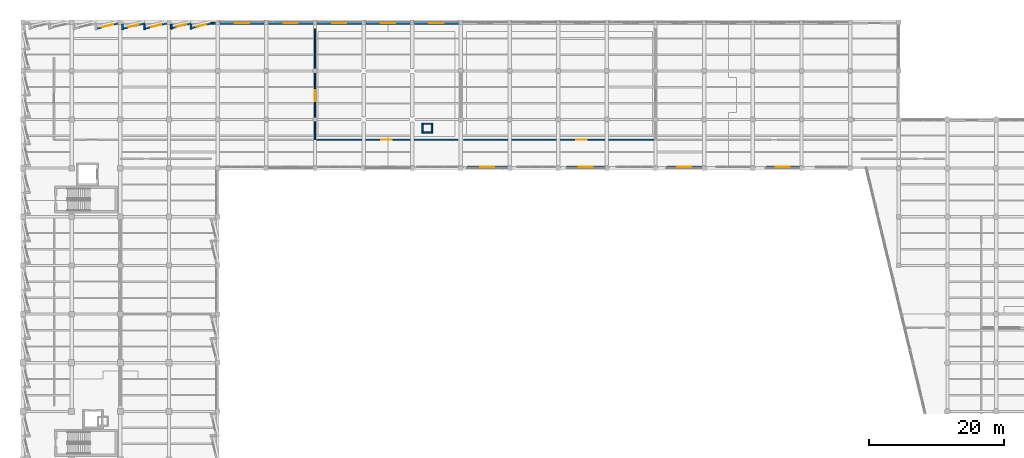
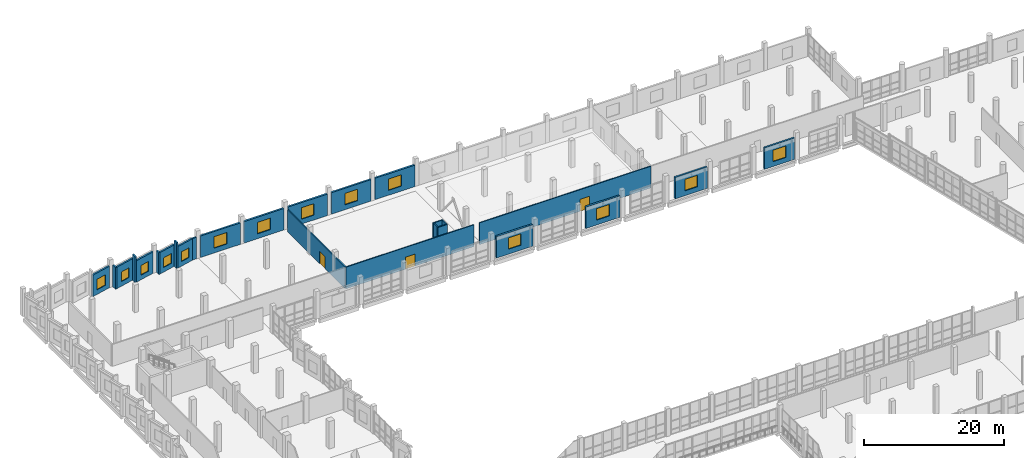
# One storey, part 98 of 127: 26 walls, 14 windows, 3 doors, 17 openings.
"""IFC4 building model written with IfcOpenShell, lengths in metres."""

from ifc_helpers import new_model, si_unit, direction, frame, frame_2d, origin, place, context, subcontext, project, spatial, rectangle, extrude, material, layer, layer_set, type_object, element, fill, save


model = new_model("IFC4")

# Units and contexts
model_context = context("Model", 3, precision=1e-05, world=origin(), true_north=direction((0.0, 1.0)))
body_context = subcontext(model_context, "Body", "Model", "MODEL_VIEW")
ifc_project = project(units=[si_unit("LENGTHUNIT", "METRE"), si_unit("AREAUNIT", "SQUARE_METRE"), si_unit("VOLUMEUNIT", "CUBIC_METRE"), si_unit("PLANEANGLEUNIT", "RADIAN"), si_unit("MASSUNIT", "GRAM", prefix="KILO")], contexts=[model_context])

# Site, building, storey
site_placement = place(None, origin())
site = spatial("IfcSite", under=ifc_project, at=site_placement, CompositionType="ELEMENT")
building_placement = place(site_placement, origin())
building = spatial("IfcBuilding", under=site, at=building_placement, Name="Kalmorath City Hall", CompositionType="ELEMENT")
storey_placement = place(building_placement, frame((0.0, 0.0, 5.39990234375)))
storey = spatial("IfcBuildingStorey", under=building, at=storey_placement, Name="L01", CompositionType="ELEMENT", Elevation=5.39990234375)

# Wall, opening, door
ifc_material_1 = material(Name="High-STC double-stud acoustic partition")
ifc_layer_1 = layer(ifc_material_1, 0.1650390625)
ifc_layer_set_1 = layer_set([ifc_layer_1], Name="High-STC double-stud acoustic partition")
wall_type_1 = type_object("IfcWallType", Name="Chamber and committee acoustic partition 165", PredefinedType="PARTITIONING", material=ifc_layer_set_1)
wall_1_placement = place(storey_placement, frame((43.239990234375, 97.800048828125, 0.0), z_axis=(0.0, 0.0, 1.0), x_axis=(1.0, 0.0, 0.0)))
wall_1 = element("IfcWall", 1, at=wall_1_placement, inside=storey, type_object=wall_type_1, Name="L01 interior partition PW3 #86", PredefinedType="PARTITIONING", context=body_context, shape_type="SweptSolid", body=[
    extrude(rectangle(XDim=21.1201171875, YDim=0.1650390625, at=frame_2d((10.56005859375, 0.0))), origin(), (0.0, 0.0, 1.0), 3.801025390625),
])
opening_1_placement = place(wall_1_placement, frame((9.760009765625, 0.0, 0.0)))
opening_1 = element("IfcOpeningElement", 2, at=opening_1_placement, cuts=wall_1, Name="Opening D-L01-182", PredefinedType="OPENING", context=body_context, shape_type="SweptSolid", body=[
    extrude(rectangle(XDim=1.60009765625, YDim=2.10009765625, at=frame_2d((0.800048828125, 1.050048828125))), frame((0.0, 0.092529296875, 0.0), z_axis=(0.0, -1.0, 0.0), x_axis=(1.0, 0.0, 0.0)), (0.0, 0.0, 1.0), 0.18505859375),
])
ifc_material_2 = material(Name="Acoustic hardwood fire door", Category="wood")
door_type = type_object("IfcDoorType", Name="Committee double fire door 1600x2100", OperationType="DOUBLE_DOOR_SINGLE_SWING", PredefinedType="DOOR", material=ifc_material_2)
door_1_placement = place(opening_1_placement, origin())
door_1 = element("IfcDoor", 3, at=door_1_placement, inside=storey, type_object=door_type, Name="L01 door D-L01-182", OperationType="DOUBLE_DOOR_SINGLE_SWING", OverallHeight=2.10009765625, OverallWidth=1.60009765625, PredefinedType="DOOR", context=body_context, shape_type="SweptSolid", body=[
    extrude(rectangle(XDim=1.60009765625, YDim=2.10009765625, at=frame_2d((0.800048828125, 1.050048828125))), frame((0.0, 0.02490234375, 0.0), z_axis=(0.0, -1.0, 0.0), x_axis=(1.0, 0.0, 0.0)), (0.0, 0.0, 1.0), 0.050048828125),
])
fill(opening_1, door_1)

wall_2_placement = place(storey_placement, frame((65.239990234375, 97.800048828125, 0.0), z_axis=(0.0, 0.0, 1.0), x_axis=(1.0, 0.0, 0.0)))
wall_2 = element("IfcWall", 4, at=wall_2_placement, inside=storey, type_object=wall_type_1, Name="L01 interior partition PW3 #87", PredefinedType="PARTITIONING", context=body_context, shape_type="SweptSolid", body=[
    extrude(rectangle(XDim=28.320068359375, YDim=0.1650390625, at=frame_2d((14.16015625, 0.0))), origin(), (0.0, 0.0, 1.0), 3.801025390625),
])
opening_2_placement = place(wall_2_placement, frame((16.594970703125, 0.0, 0.0)))
opening_2 = element("IfcOpeningElement", 5, at=opening_2_placement, cuts=wall_2, Name="Opening D-L01-184", PredefinedType="OPENING", context=body_context, shape_type="SweptSolid", body=[
    extrude(rectangle(XDim=1.60009765625, YDim=2.10009765625, at=frame_2d((0.800048828125, 1.050048828125))), frame((0.0, 0.092529296875, 0.0), z_axis=(0.0, -1.0, 0.0), x_axis=(1.0, 0.0, 0.0)), (0.0, 0.0, 1.0), 0.18505859375),
])
door_2_placement = place(opening_2_placement, origin())
door_2 = element("IfcDoor", 6, at=door_2_placement, inside=storey, type_object=door_type, Name="L01 door D-L01-184", OperationType="DOUBLE_DOOR_SINGLE_SWING", OverallHeight=2.10009765625, OverallWidth=1.60009765625, PredefinedType="DOOR", context=body_context, shape_type="SweptSolid", body=[
    extrude(rectangle(XDim=1.60009765625, YDim=2.10009765625, at=frame_2d((0.800048828125, 1.050048828125))), frame((0.0, 0.02490234375, 0.0), z_axis=(0.0, -1.0, 0.0), x_axis=(1.0, 0.0, 0.0)), (0.0, 0.0, 1.0), 0.050048828125),
])
fill(opening_2, door_2)

# Walls
ifc_material_3 = material(Name="Concrete C40/50", Category="concrete")
ifc_layer_2 = layer(ifc_material_3, 0.199951171875)
ifc_layer_set_2 = layer_set([ifc_layer_2], Name="Concrete C40/50")
wall_type_2 = type_object("IfcWallType", Name="Concrete service riser wall 200", PredefinedType="SOLIDWALL", material=ifc_layer_set_2)
for number, where, z_axis, x_axis, name in (
    (7, (59.0, 98.89990234375, 0.0), (0.0, 0.0, 1.0), (1.0, 0.0, 0.0), "L01 RSR-4 riser shaft wall S"),
    (8, (60.60009765625, 100.179931640625, 0.0), (0.0, 0.0, 1.0), (-1.0, 0.0, 0.0), "L01 RSR-4 riser shaft wall N"),
):
    element("IfcWall", number, at=place(storey_placement, frame(where, z_axis=z_axis, x_axis=x_axis)), inside=storey, type_object=wall_type_2, Name=name, PredefinedType="SOLIDWALL", context=body_context, shape_type="SweptSolid", body=[
        extrude(rectangle(XDim=1.60009765625, YDim=0.199951171875, at=frame_2d((0.800048828125, 0.0))), origin(), (0.0, 0.0, 1.0), 4.52001953125),
    ])
for number, where, z_axis, x_axis, name in (
    (9, (59.10009765625, 100.080078125, 0.0), (0.0, 0.0, 1.0), (0.0, -1.0, 0.0), "L01 RSR-4 riser shaft wall W"),
    (10, (60.5, 99.0, 0.0), (0.0, 0.0, 1.0), (0.0, 1.0, 0.0), "L01 RSR-4 riser shaft wall E"),
):
    element("IfcWall", number, at=place(storey_placement, frame(where, z_axis=z_axis, x_axis=x_axis)), inside=storey, type_object=wall_type_2, Name=name, PredefinedType="SOLIDWALL", context=body_context, shape_type="SweptSolid", body=[
        extrude(rectangle(XDim=1.080078125, YDim=0.199951171875, at=frame_2d((0.5400390625, 0.0))), origin(), (0.0, 0.0, 1.0), 4.52001953125),
    ])
ifc_material_4 = material(Name="Precast concrete C40/50", Category="concrete")
ifc_layer_3 = layer(ifc_material_4, 0.239990234375)
ifc_layer_set_3 = layer_set([ifc_layer_3], Name="Precast concrete C40/50")
wall_type_3 = type_object("IfcWallType", Name="Precast sawtooth cheek wall 240", PredefinedType="SOLIDWALL", material=ifc_layer_set_3)
wall_3_placement = place(storey_placement, frame((14.72607421875, 114.10888671875, 0.0), z_axis=(0.0, 0.0, 1.0), x_axis=(0.0, 1.0, 0.0)))
element("IfcWall", 11, at=wall_3_placement, inside=storey, type_object=wall_type_3, Name="L01 sawtooth return cheek #241", PredefinedType="SOLIDWALL", context=body_context, shape_type="SweptSolid", body=[
    extrude(rectangle(XDim=0.799072265625, YDim=0.239990234375, at=frame_2d((0.3994140625, 0.0))), origin(), (0.0, 0.0, 1.0), 3.801025390625),
])
wall_4_placement = place(storey_placement, frame((18.0, 114.10888671875, 0.0), z_axis=(0.0, 0.0, 1.0), x_axis=(0.0, 1.0, 0.0)))
element("IfcWall", 12, at=wall_4_placement, inside=storey, type_object=wall_type_3, Name="L01 sawtooth return cheek #243", PredefinedType="SOLIDWALL", context=body_context, shape_type="SweptSolid", body=[
    extrude(rectangle(XDim=0.799072265625, YDim=0.239990234375, at=frame_2d((0.3994140625, 0.0))), origin(), (0.0, 0.0, 1.0), 4.52001953125),
])
wall_5_placement = place(storey_placement, frame((21.926025390625, 114.190673828125, 0.0), z_axis=(0.0, 0.0, 1.0), x_axis=(0.0, 1.0, 0.0)))
element("IfcWall", 13, at=wall_5_placement, inside=storey, type_object=wall_type_3, Name="L01 sawtooth return cheek #246", PredefinedType="SOLIDWALL", context=body_context, shape_type="SweptSolid", body=[
    extrude(rectangle(XDim=0.71728515625, YDim=0.239990234375, at=frame_2d((0.358642578125, 0.0))), origin(), (0.0, 0.0, 1.0), 3.801025390625),
])
wall_6_placement = place(storey_placement, frame((24.860107421875, 114.190673828125, 0.0), z_axis=(0.0, 0.0, 1.0), x_axis=(0.0, 1.0, 0.0)))
element("IfcWall", 14, at=wall_6_placement, inside=storey, type_object=wall_type_3, Name="L01 sawtooth return cheek #248", PredefinedType="SOLIDWALL", context=body_context, shape_type="SweptSolid", body=[
    extrude(rectangle(XDim=0.71728515625, YDim=0.239990234375, at=frame_2d((0.358642578125, 0.0))), origin(), (0.0, 0.0, 1.0), 4.52001953125),
])

# Wall, opening, window
ifc_material_5 = material(Name="Precast concrete C40/50", Category="concrete")
ifc_layer_4 = layer(ifc_material_5, 0.280029296875)
ifc_layer_set_4 = layer_set([ifc_layer_4], Name="Precast concrete C40/50")
wall_type_4 = type_object("IfcWallType", Name="Precast sawtooth facade wall 280", PredefinedType="SOLIDWALL", material=ifc_layer_set_4)
wall_7_placement = place(storey_placement, frame((10.892333984375, 114.276123046875, 0.0), z_axis=(0.0, 0.0, 1.0), x_axis=(0.972364947293, 0.233466077354, 0.0)))
wall_7 = element("IfcWall", 15, at=wall_7_placement, inside=storey, type_object=wall_type_4, Name="L01 sawtooth precast frame #238", PredefinedType="SOLIDWALL", context=body_context, shape_type="SweptSolid", body=[
    extrude(rectangle(XDim=3.27197265625, YDim=0.280029296875, at=frame_2d((1.635986328125, 0.0))), origin(), (0.0, 0.0, 1.0), 3.7509765625),
])
opening_3_placement = place(wall_7_placement, frame((0.785888671875, 0.0, 0.800048828125)))
opening_3 = element("IfcOpeningElement", 16, at=opening_3_placement, cuts=wall_7, Name="Opening WN6", PredefinedType="OPENING", context=body_context, shape_type="SweptSolid", body=[
    extrude(rectangle(XDim=1.699951171875, YDim=1.85009765625, at=frame_2d((0.85009765625, 0.925048828125))), frame((0.0, 0.14990234375, 0.0), z_axis=(0.0, -1.0, 0.0), x_axis=(1.0, 0.0, 0.0)), (0.0, 0.0, 1.0), 0.300048828125),
])
ifc_material_6 = material(Name="Aluminium and laminated glass", Category="aluminium")
window_type_1 = type_object("IfcWindowType", Name="Sawtooth west wing window 1700x1850", PartitioningType="SINGLE_PANEL", PredefinedType="WINDOW", material=ifc_material_6)
window_1_placement = place(opening_3_placement, origin())
window_1 = element("IfcWindow", 17, at=window_1_placement, inside=storey, type_object=window_type_1, Name="L01 window WN6-111", OverallHeight=1.85009765625, OverallWidth=1.699951171875, PartitioningType="SINGLE_PANEL", PredefinedType="WINDOW", context=body_context, shape_type="SweptSolid", body=[
    extrude(rectangle(XDim=1.699951171875, YDim=1.85009765625, at=frame_2d((0.85009765625, 0.925048828125))), frame((0.0, 0.030029296875, 0.0), z_axis=(0.0, -1.0, 0.0), x_axis=(1.0, 0.0, 0.0)), (0.0, 0.0, 1.0), 0.06005859375),
])
fill(opening_3, window_1)

wall_8_placement = place(storey_placement, frame((14.818359375, 114.276123046875, 0.0), z_axis=(0.0, 0.0, 1.0), x_axis=(0.972364947293, 0.233466077354, 0.0)))
wall_8 = element("IfcWall", 18, at=wall_8_placement, inside=storey, type_object=wall_type_4, Name="L01 sawtooth precast frame #240", PredefinedType="SOLIDWALL", context=body_context, shape_type="SweptSolid", body=[
    extrude(rectangle(XDim=3.27197265625, YDim=0.280029296875, at=frame_2d((1.635986328125, 0.0))), origin(), (0.0, 0.0, 1.0), 3.7509765625),
])
opening_4_placement = place(wall_8_placement, frame((0.885986328125, 0.0, 0.800048828125)))
opening_4 = element("IfcOpeningElement", 19, at=opening_4_placement, cuts=wall_8, Name="Opening WN7", PredefinedType="OPENING", context=body_context, shape_type="SweptSolid", body=[
    extrude(rectangle(XDim=1.5, YDim=1.699951171875, at=frame_2d((0.75, 0.85009765625))), frame((0.0, 0.14990234375, 0.0), z_axis=(0.0, -1.0, 0.0), x_axis=(1.0, 0.0, 0.0)), (0.0, 0.0, 1.0), 0.300048828125),
])
ifc_material_7 = material(Name="Aluminium and laminated glass", Category="aluminium")
window_type_2 = type_object("IfcWindowType", Name="Sawtooth top storey window 1500x1700", PartitioningType="SINGLE_PANEL", PredefinedType="WINDOW", material=ifc_material_7)
window_2_placement = place(opening_4_placement, origin())
window_2 = element("IfcWindow", 20, at=window_2_placement, inside=storey, type_object=window_type_2, Name="L01 window WN7-112", OverallHeight=1.699951171875, OverallWidth=1.5, PartitioningType="SINGLE_PANEL", PredefinedType="WINDOW", context=body_context, shape_type="SweptSolid", body=[
    extrude(rectangle(XDim=1.5, YDim=1.699951171875, at=frame_2d((0.75, 0.85009765625))), frame((0.0, 0.030029296875, 0.0), z_axis=(0.0, -1.0, 0.0), x_axis=(1.0, 0.0, 0.0)), (0.0, 0.0, 1.0), 0.06005859375),
])
fill(opening_4, window_2)

wall_9_placement = place(storey_placement, frame((18.09228515625, 114.276123046875, 0.0), z_axis=(0.0, 0.0, 1.0), x_axis=(0.972364947293, 0.233466077354, 0.0)))
wall_9 = element("IfcWall", 21, at=wall_9_placement, inside=storey, type_object=wall_type_4, Name="L01 sawtooth precast frame #242", PredefinedType="SOLIDWALL", context=body_context, shape_type="SweptSolid", body=[
    extrude(rectangle(XDim=3.27197265625, YDim=0.280029296875, at=frame_2d((1.635986328125, 0.0))), origin(), (0.0, 0.0, 1.0), 3.7509765625),
])
opening_5_placement = place(wall_9_placement, frame((0.885986328125, 0.0, 0.800048828125)))
opening_5 = element("IfcOpeningElement", 22, at=opening_5_placement, cuts=wall_9, Name="Opening WN7", PredefinedType="OPENING", context=body_context, shape_type="SweptSolid", body=[
    extrude(rectangle(XDim=1.5, YDim=1.699951171875, at=frame_2d((0.75, 0.85009765625))), frame((0.0, 0.14990234375, 0.0), z_axis=(0.0, -1.0, 0.0), x_axis=(1.0, 0.0, 0.0)), (0.0, 0.0, 1.0), 0.300048828125),
])
window_3_placement = place(opening_5_placement, origin())
window_3 = element("IfcWindow", 23, at=window_3_placement, inside=storey, type_object=window_type_2, Name="L01 window WN7-113", OverallHeight=1.699951171875, OverallWidth=1.5, PartitioningType="SINGLE_PANEL", PredefinedType="WINDOW", context=body_context, shape_type="SweptSolid", body=[
    extrude(rectangle(XDim=1.5, YDim=1.699951171875, at=frame_2d((0.75, 0.85009765625))), frame((0.0, 0.030029296875, 0.0), z_axis=(0.0, -1.0, 0.0), x_axis=(1.0, 0.0, 0.0)), (0.0, 0.0, 1.0), 0.06005859375),
])
fill(opening_5, window_3)

wall_10_placement = place(storey_placement, frame((22.018310546875, 114.35791015625, 0.0), z_axis=(0.0, 0.0, 1.0), x_axis=(0.972379718613, 0.233404547578, 0.0)))
wall_10 = element("IfcWall", 24, at=wall_10_placement, inside=storey, type_object=wall_type_4, Name="L01 sawtooth precast frame #245", PredefinedType="SOLIDWALL", context=body_context, shape_type="SweptSolid", body=[
    extrude(rectangle(XDim=2.922607421875, YDim=0.280029296875, at=frame_2d((1.46142578125, 0.0))), origin(), (0.0, 0.0, 1.0), 3.7509765625),
])
opening_6_placement = place(wall_10_placement, frame((0.711181640625, 0.0, 0.800048828125)))
opening_6 = element("IfcOpeningElement", 25, at=opening_6_placement, cuts=wall_10, Name="Opening WN7", PredefinedType="OPENING", context=body_context, shape_type="SweptSolid", body=[
    extrude(rectangle(XDim=1.5, YDim=1.699951171875, at=frame_2d((0.75, 0.85009765625))), frame((0.0, 0.14990234375, 0.0), z_axis=(0.0, -1.0, 0.0), x_axis=(1.0, 0.0, 0.0)), (0.0, 0.0, 1.0), 0.300048828125),
])
window_4_placement = place(opening_6_placement, origin())
window_4 = element("IfcWindow", 26, at=window_4_placement, inside=storey, type_object=window_type_2, Name="L01 window WN7-114", OverallHeight=1.699951171875, OverallWidth=1.5, PartitioningType="SINGLE_PANEL", PredefinedType="WINDOW", context=body_context, shape_type="SweptSolid", body=[
    extrude(rectangle(XDim=1.5, YDim=1.699951171875, at=frame_2d((0.75, 0.85009765625))), frame((0.0, 0.030029296875, 0.0), z_axis=(0.0, -1.0, 0.0), x_axis=(1.0, 0.0, 0.0)), (0.0, 0.0, 1.0), 0.06005859375),
])
fill(opening_6, window_4)

wall_11_placement = place(storey_placement, frame((24.952392578125, 114.35791015625, 0.0), z_axis=(0.0, 0.0, 1.0), x_axis=(0.972375167114, 0.233423508628, 0.0)))
wall_11 = element("IfcWall", 27, at=wall_11_placement, inside=storey, type_object=wall_type_4, Name="L01 sawtooth precast frame #247", PredefinedType="SOLIDWALL", context=body_context, shape_type="SweptSolid", body=[
    extrude(rectangle(XDim=2.92236328125, YDim=0.280029296875, at=frame_2d((1.461181640625, 0.0))), origin(), (0.0, 0.0, 1.0), 3.7509765625),
])
opening_7_placement = place(wall_11_placement, frame((0.711181640625, 0.0, 0.800048828125)))
opening_7 = element("IfcOpeningElement", 28, at=opening_7_placement, cuts=wall_11, Name="Opening WN7", PredefinedType="OPENING", context=body_context, shape_type="SweptSolid", body=[
    extrude(rectangle(XDim=1.5, YDim=1.699951171875, at=frame_2d((0.75, 0.85009765625))), frame((0.0, 0.14990234375, 0.0), z_axis=(0.0, -1.0, 0.0), x_axis=(1.0, 0.0, 0.0)), (0.0, 0.0, 1.0), 0.300048828125),
])
window_5_placement = place(opening_7_placement, origin())
window_5 = element("IfcWindow", 29, at=window_5_placement, inside=storey, type_object=window_type_2, Name="L01 window WN7-115", OverallHeight=1.699951171875, OverallWidth=1.5, PartitioningType="SINGLE_PANEL", PredefinedType="WINDOW", context=body_context, shape_type="SweptSolid", body=[
    extrude(rectangle(XDim=1.5, YDim=1.699951171875, at=frame_2d((0.75, 0.85009765625))), frame((0.0, 0.030029296875, 0.0), z_axis=(0.0, -1.0, 0.0), x_axis=(1.0, 0.0, 0.0)), (0.0, 0.0, 1.0), 0.06005859375),
])
fill(opening_7, window_5)

# Wall
ifc_material_8 = material(Name="Precast concrete C40/50", Category="concrete")
ifc_layer_5 = layer(ifc_material_8, 0.260009765625)
ifc_layer_set_5 = layer_set([ifc_layer_5], Name="Precast concrete C40/50")
wall_type_5 = type_object("IfcWallType", Name="Precast sawtooth return wall 260", PredefinedType="SOLIDWALL", material=ifc_layer_set_5)
wall_12_placement = place(storey_placement, frame((27.7939453125, 115.0400390625, 0.0), z_axis=(0.0, 0.0, 1.0), x_axis=(1.0, 0.0, 0.0)))
element("IfcWall", 30, at=wall_12_placement, inside=storey, type_object=wall_type_5, Name="L01 corner pier wall #244", PredefinedType="SOLIDWALL", context=body_context, shape_type="SweptSolid", body=[
    extrude(rectangle(XDim=0.68017578125, YDim=0.260009765625, at=frame_2d((0.340087890625, 0.0))), origin(), (0.0, 0.0, 1.0), 3.7509765625),
])

# Wall, opening, door
ifc_material_9 = material(Name="Gypsum fire-rated shaftliner partition")
ifc_layer_6 = layer(ifc_material_9, 0.199951171875)
ifc_layer_set_6 = layer_set([ifc_layer_6], Name="Gypsum fire-rated shaftliner partition")
wall_type_6 = type_object("IfcWallType", Name="Two-hour fire barrier partition 200", PredefinedType="PARTITIONING", material=ifc_layer_set_6)
wall_13_placement = place(storey_placement, frame((43.199951171875, 97.840087890625, 0.0), z_axis=(0.0, 0.0, 1.0), x_axis=(0.0, 1.0, 0.0)))
wall_13 = element("IfcWall", 31, at=wall_13_placement, inside=storey, type_object=wall_type_6, Name="L01 interior partition PW1 #98", PredefinedType="PARTITIONING", context=body_context, shape_type="SweptSolid", body=[
    extrude(rectangle(XDim=16.419921875, YDim=0.199951171875, at=frame_2d((8.2099609375, 0.0))), origin(), (0.0, 0.0, 1.0), 3.801025390625),
])
opening_8_placement = place(wall_13_placement, frame((5.66259765625, 0.0, 0.0)))
opening_8 = element("IfcOpeningElement", 32, at=opening_8_placement, cuts=wall_13, Name="Opening D-L01-183", PredefinedType="OPENING", context=body_context, shape_type="SweptSolid", body=[
    extrude(rectangle(XDim=1.60009765625, YDim=2.10009765625, at=frame_2d((0.800048828125, 1.050048828125))), frame((0.0, 0.10986328125, 0.0), z_axis=(0.0, -1.0, 0.0), x_axis=(1.0, 0.0, 0.0)), (0.0, 0.0, 1.0), 0.219970703125),
])
door_3_placement = place(opening_8_placement, origin())
door_3 = element("IfcDoor", 33, at=door_3_placement, inside=storey, type_object=door_type, Name="L01 door D-L01-183", OperationType="DOUBLE_DOOR_SINGLE_SWING", OverallHeight=2.10009765625, OverallWidth=1.60009765625, PredefinedType="DOOR", context=body_context, shape_type="SweptSolid", body=[
    extrude(rectangle(XDim=1.60009765625, YDim=2.10009765625, at=frame_2d((0.800048828125, 1.050048828125))), frame((0.0, 0.02490234375, 0.0), z_axis=(0.0, -1.0, 0.0), x_axis=(1.0, 0.0, 0.0)), (0.0, 0.0, 1.0), 0.050048828125),
])
fill(opening_8, door_3)

# Wall, opening, window
ifc_material_10 = material(Name="Concrete C40/50", Category="concrete")
ifc_layer_7 = layer(ifc_material_10, 0.300048828125)
ifc_layer_set_7 = layer_set([ifc_layer_7], Name="Concrete C40/50")
wall_type_7 = type_object("IfcWallType", Name="Volcanic basalt backup wall 300", PredefinedType="SOLIDWALL", material=ifc_layer_set_7)
wall_14_placement = place(storey_placement, frame((29.1259765625, 115.0400390625, 0.0), z_axis=(0.0, 0.0, 1.0), x_axis=(1.0, 0.0, 0.0)))
wall_14 = element("IfcWall", 34, at=wall_14_placement, inside=storey, type_object=wall_type_7, Name="L01 basalt wing wall #249", PredefinedType="SOLIDWALL", context=body_context, shape_type="SweptSolid", body=[
    extrude(rectangle(XDim=6.548095703125, YDim=0.300048828125, at=frame_2d((3.27392578125, 0.0))), origin(), (0.0, 0.0, 1.0), 3.7509765625),
])
opening_9_placement = place(wall_14_placement, frame((2.22412109375, 0.0, 0.85009765625)))
opening_9 = element("IfcOpeningElement", 35, at=opening_9_placement, cuts=wall_14, Name="Opening WN9", PredefinedType="OPENING", context=body_context, shape_type="SweptSolid", body=[
    extrude(rectangle(XDim=2.10009765625, YDim=2.0, at=frame_2d((1.050048828125, 1.0))), frame((0.0, 0.159912109375, 0.0), z_axis=(0.0, -1.0, 0.0), x_axis=(1.0, 0.0, 0.0)), (0.0, 0.0, 1.0), 0.320068359375),
])
ifc_material_11 = material(Name="Bronze-anodised aluminium and glass", Category="aluminium")
window_type_3 = type_object("IfcWindowType", Name="Basalt committee window 2100x2000", PartitioningType="SINGLE_PANEL", PredefinedType="WINDOW", material=ifc_material_11)
window_6_placement = place(opening_9_placement, origin())
window_6 = element("IfcWindow", 36, at=window_6_placement, inside=storey, type_object=window_type_3, Name="L01 window WN9-116", OverallHeight=2.0, OverallWidth=2.10009765625, PartitioningType="SINGLE_PANEL", PredefinedType="WINDOW", context=body_context, shape_type="SweptSolid", body=[
    extrude(rectangle(XDim=2.10009765625, YDim=2.0, at=frame_2d((1.050048828125, 1.0))), frame((0.0, 0.030029296875, 0.0), z_axis=(0.0, -1.0, 0.0), x_axis=(1.0, 0.0, 0.0)), (0.0, 0.0, 1.0), 0.06005859375),
])
fill(opening_9, window_6)

wall_15_placement = place(storey_placement, frame((36.325927734375, 115.0400390625, 0.0), z_axis=(0.0, 0.0, 1.0), x_axis=(1.0, 0.0, 0.0)))
wall_15 = element("IfcWall", 37, at=wall_15_placement, inside=storey, type_object=wall_type_7, Name="L01 basalt wing wall #250", PredefinedType="SOLIDWALL", context=body_context, shape_type="SweptSolid", body=[
    extrude(rectangle(XDim=6.548095703125, YDim=0.300048828125, at=frame_2d((3.27392578125, 0.0))), origin(), (0.0, 0.0, 1.0), 3.7509765625),
])
opening_10_placement = place(wall_15_placement, frame((2.22412109375, 0.0, 0.85009765625)))
opening_10 = element("IfcOpeningElement", 38, at=opening_10_placement, cuts=wall_15, Name="Opening WN9", PredefinedType="OPENING", context=body_context, shape_type="SweptSolid", body=[
    extrude(rectangle(XDim=2.10009765625, YDim=2.0, at=frame_2d((1.050048828125, 1.0))), frame((0.0, 0.159912109375, 0.0), z_axis=(0.0, -1.0, 0.0), x_axis=(1.0, 0.0, 0.0)), (0.0, 0.0, 1.0), 0.320068359375),
])
window_7_placement = place(opening_10_placement, origin())
window_7 = element("IfcWindow", 39, at=window_7_placement, inside=storey, type_object=window_type_3, Name="L01 window WN9-117", OverallHeight=2.0, OverallWidth=2.10009765625, PartitioningType="SINGLE_PANEL", PredefinedType="WINDOW", context=body_context, shape_type="SweptSolid", body=[
    extrude(rectangle(XDim=2.10009765625, YDim=2.0, at=frame_2d((1.050048828125, 1.0))), frame((0.0, 0.030029296875, 0.0), z_axis=(0.0, -1.0, 0.0), x_axis=(1.0, 0.0, 0.0)), (0.0, 0.0, 1.0), 0.06005859375),
])
fill(opening_10, window_7)

wall_16_placement = place(storey_placement, frame((43.52587890625, 115.0400390625, 0.0), z_axis=(0.0, 0.0, 1.0), x_axis=(1.0, 0.0, 0.0)))
wall_16 = element("IfcWall", 40, at=wall_16_placement, inside=storey, type_object=wall_type_7, Name="L01 basalt wing wall #251", PredefinedType="SOLIDWALL", context=body_context, shape_type="SweptSolid", body=[
    extrude(rectangle(XDim=6.548095703125, YDim=0.300048828125, at=frame_2d((3.27392578125, 0.0))), origin(), (0.0, 0.0, 1.0), 3.7509765625),
])
opening_11_placement = place(wall_16_placement, frame((2.22412109375, 0.0, 0.85009765625)))
opening_11 = element("IfcOpeningElement", 41, at=opening_11_placement, cuts=wall_16, Name="Opening WN9", PredefinedType="OPENING", context=body_context, shape_type="SweptSolid", body=[
    extrude(rectangle(XDim=2.10009765625, YDim=2.0, at=frame_2d((1.050048828125, 1.0))), frame((0.0, 0.159912109375, 0.0), z_axis=(0.0, -1.0, 0.0), x_axis=(1.0, 0.0, 0.0)), (0.0, 0.0, 1.0), 0.320068359375),
])
window_8_placement = place(opening_11_placement, origin())
window_8 = element("IfcWindow", 42, at=window_8_placement, inside=storey, type_object=window_type_3, Name="L01 window WN9-118", OverallHeight=2.0, OverallWidth=2.10009765625, PartitioningType="SINGLE_PANEL", PredefinedType="WINDOW", context=body_context, shape_type="SweptSolid", body=[
    extrude(rectangle(XDim=2.10009765625, YDim=2.0, at=frame_2d((1.050048828125, 1.0))), frame((0.0, 0.030029296875, 0.0), z_axis=(0.0, -1.0, 0.0), x_axis=(1.0, 0.0, 0.0)), (0.0, 0.0, 1.0), 0.06005859375),
])
fill(opening_11, window_8)

wall_17_placement = place(storey_placement, frame((50.72607421875, 115.0400390625, 0.0), z_axis=(0.0, 0.0, 1.0), x_axis=(1.0, 0.0, 0.0)))
wall_17 = element("IfcWall", 43, at=wall_17_placement, inside=storey, type_object=wall_type_7, Name="L01 basalt wing wall #252", PredefinedType="SOLIDWALL", context=body_context, shape_type="SweptSolid", body=[
    extrude(rectangle(XDim=6.5478515625, YDim=0.300048828125, at=frame_2d((3.27392578125, 0.0))), origin(), (0.0, 0.0, 1.0), 3.7509765625),
])
opening_12_placement = place(wall_17_placement, frame((2.22412109375, 0.0, 0.85009765625)))
opening_12 = element("IfcOpeningElement", 44, at=opening_12_placement, cuts=wall_17, Name="Opening WN9", PredefinedType="OPENING", context=body_context, shape_type="SweptSolid", body=[
    extrude(rectangle(XDim=2.10009765625, YDim=2.0, at=frame_2d((1.050048828125, 1.0))), frame((0.0, 0.159912109375, 0.0), z_axis=(0.0, -1.0, 0.0), x_axis=(1.0, 0.0, 0.0)), (0.0, 0.0, 1.0), 0.320068359375),
])
window_9_placement = place(opening_12_placement, origin())
window_9 = element("IfcWindow", 45, at=window_9_placement, inside=storey, type_object=window_type_3, Name="L01 window WN9-119", OverallHeight=2.0, OverallWidth=2.10009765625, PartitioningType="SINGLE_PANEL", PredefinedType="WINDOW", context=body_context, shape_type="SweptSolid", body=[
    extrude(rectangle(XDim=2.10009765625, YDim=2.0, at=frame_2d((1.050048828125, 1.0))), frame((0.0, 0.030029296875, 0.0), z_axis=(0.0, -1.0, 0.0), x_axis=(1.0, 0.0, 0.0)), (0.0, 0.0, 1.0), 0.06005859375),
])
fill(opening_12, window_9)

wall_18_placement = place(storey_placement, frame((57.926025390625, 115.0400390625, 0.0), z_axis=(0.0, 0.0, 1.0), x_axis=(1.0, 0.0, 0.0)))
wall_18 = element("IfcWall", 46, at=wall_18_placement, inside=storey, type_object=wall_type_7, Name="L01 basalt wing wall #253", PredefinedType="SOLIDWALL", context=body_context, shape_type="SweptSolid", body=[
    extrude(rectangle(XDim=6.548095703125, YDim=0.300048828125, at=frame_2d((3.27392578125, 0.0))), origin(), (0.0, 0.0, 1.0), 3.7509765625),
])
opening_13_placement = place(wall_18_placement, frame((2.22412109375, 0.0, 0.85009765625)))
opening_13 = element("IfcOpeningElement", 47, at=opening_13_placement, cuts=wall_18, Name="Opening WN9", PredefinedType="OPENING", context=body_context, shape_type="SweptSolid", body=[
    extrude(rectangle(XDim=2.10009765625, YDim=2.0, at=frame_2d((1.050048828125, 1.0))), frame((0.0, 0.159912109375, 0.0), z_axis=(0.0, -1.0, 0.0), x_axis=(1.0, 0.0, 0.0)), (0.0, 0.0, 1.0), 0.320068359375),
])
window_10_placement = place(opening_13_placement, origin())
window_10 = element("IfcWindow", 48, at=window_10_placement, inside=storey, type_object=window_type_3, Name="L01 window WN9-120", OverallHeight=2.0, OverallWidth=2.10009765625, PartitioningType="SINGLE_PANEL", PredefinedType="WINDOW", context=body_context, shape_type="SweptSolid", body=[
    extrude(rectangle(XDim=2.10009765625, YDim=2.0, at=frame_2d((1.050048828125, 1.0))), frame((0.0, 0.030029296875, 0.0), z_axis=(0.0, -1.0, 0.0), x_axis=(1.0, 0.0, 0.0)), (0.0, 0.0, 1.0), 0.06005859375),
])
fill(opening_13, window_10)

wall_19_placement = place(storey_placement, frame((114.8740234375, 93.760009765625, 0.0), z_axis=(0.0, 0.0, 1.0), x_axis=(-1.0, 0.0, 0.0)))
wall_19 = element("IfcWall", 49, at=wall_19_placement, inside=storey, type_object=wall_type_7, Name="L01 basalt wing wall #323", PredefinedType="SOLIDWALL", context=body_context, shape_type="SweptSolid", body=[
    extrude(rectangle(XDim=4.92822265625, YDim=0.300048828125, at=frame_2d((2.464111328125, 0.0))), origin(), (0.0, 0.0, 1.0), 3.7509765625),
])
opening_14_placement = place(wall_19_placement, frame((1.4140625, 0.0, 0.85009765625)))
opening_14 = element("IfcOpeningElement", 50, at=opening_14_placement, cuts=wall_19, Name="Opening WN9", PredefinedType="OPENING", context=body_context, shape_type="SweptSolid", body=[
    extrude(rectangle(XDim=2.10009765625, YDim=2.0, at=frame_2d((1.050048828125, 1.0))), frame((0.0, 0.159912109375, 0.0), z_axis=(0.0, -1.0, 0.0), x_axis=(1.0, 0.0, 0.0)), (0.0, 0.0, 1.0), 0.320068359375),
])
window_11_placement = place(opening_14_placement, origin())
window_11 = element("IfcWindow", 51, at=window_11_placement, inside=storey, type_object=window_type_3, Name="L01 window WN9-154", OverallHeight=2.0, OverallWidth=2.10009765625, PartitioningType="SINGLE_PANEL", PredefinedType="WINDOW", context=body_context, shape_type="SweptSolid", body=[
    extrude(rectangle(XDim=2.10009765625, YDim=2.0, at=frame_2d((1.050048828125, 1.0))), frame((0.0, 0.030029296875, 0.0), z_axis=(0.0, -1.0, 0.0), x_axis=(1.0, 0.0, 0.0)), (0.0, 0.0, 1.0), 0.06005859375),
])
fill(opening_14, window_11)

wall_20_placement = place(storey_placement, frame((100.47412109375, 93.760009765625, 0.0), z_axis=(0.0, 0.0, 1.0), x_axis=(-1.0, 0.0, 0.0)))
wall_20 = element("IfcWall", 52, at=wall_20_placement, inside=storey, type_object=wall_type_7, Name="L01 basalt wing wall #324", PredefinedType="SOLIDWALL", context=body_context, shape_type="SweptSolid", body=[
    extrude(rectangle(XDim=5.2822265625, YDim=0.300048828125, at=frame_2d((2.64111328125, 0.0))), origin(), (0.0, 0.0, 1.0), 3.7509765625),
])
opening_15_placement = place(wall_20_placement, frame((1.591064453125, 0.0, 0.85009765625)))
opening_15 = element("IfcOpeningElement", 53, at=opening_15_placement, cuts=wall_20, Name="Opening WN9", PredefinedType="OPENING", context=body_context, shape_type="SweptSolid", body=[
    extrude(rectangle(XDim=2.10009765625, YDim=2.0, at=frame_2d((1.050048828125, 1.0))), frame((0.0, 0.159912109375, 0.0), z_axis=(0.0, -1.0, 0.0), x_axis=(1.0, 0.0, 0.0)), (0.0, 0.0, 1.0), 0.320068359375),
])
window_12_placement = place(opening_15_placement, origin())
window_12 = element("IfcWindow", 54, at=window_12_placement, inside=storey, type_object=window_type_3, Name="L01 window WN9-155", OverallHeight=2.0, OverallWidth=2.10009765625, PartitioningType="SINGLE_PANEL", PredefinedType="WINDOW", context=body_context, shape_type="SweptSolid", body=[
    extrude(rectangle(XDim=2.10009765625, YDim=2.0, at=frame_2d((1.050048828125, 1.0))), frame((0.0, 0.030029296875, 0.0), z_axis=(0.0, -1.0, 0.0), x_axis=(1.0, 0.0, 0.0)), (0.0, 0.0, 1.0), 0.06005859375),
])
fill(opening_15, window_12)

wall_21_placement = place(storey_placement, frame((86.073974609375, 93.760009765625, 0.0), z_axis=(0.0, 0.0, 1.0), x_axis=(-1.0, 0.0, 0.0)))
wall_21 = element("IfcWall", 55, at=wall_21_placement, inside=storey, type_object=wall_type_7, Name="L01 basalt wing wall #325", PredefinedType="SOLIDWALL", context=body_context, shape_type="SweptSolid", body=[
    extrude(rectangle(XDim=5.6357421875, YDim=0.300048828125, at=frame_2d((2.81787109375, 0.0))), origin(), (0.0, 0.0, 1.0), 3.7509765625),
])
opening_16_placement = place(wall_21_placement, frame((1.767822265625, 0.0, 0.85009765625)))
opening_16 = element("IfcOpeningElement", 56, at=opening_16_placement, cuts=wall_21, Name="Opening WN9", PredefinedType="OPENING", context=body_context, shape_type="SweptSolid", body=[
    extrude(rectangle(XDim=2.10009765625, YDim=2.0, at=frame_2d((1.050048828125, 1.0))), frame((0.0, 0.159912109375, 0.0), z_axis=(0.0, -1.0, 0.0), x_axis=(1.0, 0.0, 0.0)), (0.0, 0.0, 1.0), 0.320068359375),
])
window_13_placement = place(opening_16_placement, origin())
window_13 = element("IfcWindow", 57, at=window_13_placement, inside=storey, type_object=window_type_3, Name="L01 window WN9-156", OverallHeight=2.0, OverallWidth=2.10009765625, PartitioningType="SINGLE_PANEL", PredefinedType="WINDOW", context=body_context, shape_type="SweptSolid", body=[
    extrude(rectangle(XDim=2.10009765625, YDim=2.0, at=frame_2d((1.050048828125, 1.0))), frame((0.0, 0.030029296875, 0.0), z_axis=(0.0, -1.0, 0.0), x_axis=(1.0, 0.0, 0.0)), (0.0, 0.0, 1.0), 0.06005859375),
])
fill(opening_16, window_13)

wall_22_placement = place(storey_placement, frame((71.674072265625, 93.760009765625, 0.0), z_axis=(0.0, 0.0, 1.0), x_axis=(-1.0, 0.0, 0.0)))
wall_22 = element("IfcWall", 58, at=wall_22_placement, inside=storey, type_object=wall_type_7, Name="L01 basalt wing wall #326", PredefinedType="SOLIDWALL", context=body_context, shape_type="SweptSolid", body=[
    extrude(rectangle(XDim=5.989501953125, YDim=0.300048828125, at=frame_2d((2.99462890625, 0.0))), origin(), (0.0, 0.0, 1.0), 3.7509765625),
])
opening_17_placement = place(wall_22_placement, frame((1.94482421875, 0.0, 0.85009765625)))
opening_17 = element("IfcOpeningElement", 59, at=opening_17_placement, cuts=wall_22, Name="Opening WN9", PredefinedType="OPENING", context=body_context, shape_type="SweptSolid", body=[
    extrude(rectangle(XDim=2.10009765625, YDim=2.0, at=frame_2d((1.050048828125, 1.0))), frame((0.0, 0.159912109375, 0.0), z_axis=(0.0, -1.0, 0.0), x_axis=(1.0, 0.0, 0.0)), (0.0, 0.0, 1.0), 0.320068359375),
])
window_14_placement = place(opening_17_placement, origin())
window_14 = element("IfcWindow", 60, at=window_14_placement, inside=storey, type_object=window_type_3, Name="L01 window WN9-157", OverallHeight=2.0, OverallWidth=2.10009765625, PartitioningType="SINGLE_PANEL", PredefinedType="WINDOW", context=body_context, shape_type="SweptSolid", body=[
    extrude(rectangle(XDim=2.10009765625, YDim=2.0, at=frame_2d((1.050048828125, 1.0))), frame((0.0, 0.030029296875, 0.0), z_axis=(0.0, -1.0, 0.0), x_axis=(1.0, 0.0, 0.0)), (0.0, 0.0, 1.0), 0.06005859375),
])
fill(opening_17, window_14)

save(model, "model.ifc")
